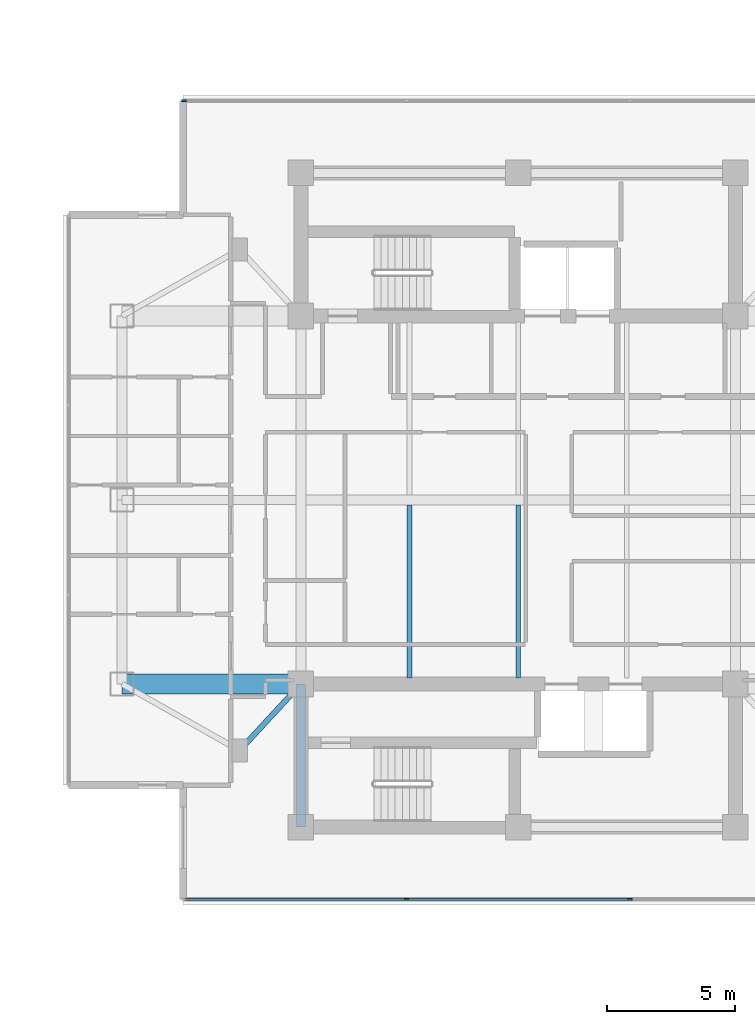
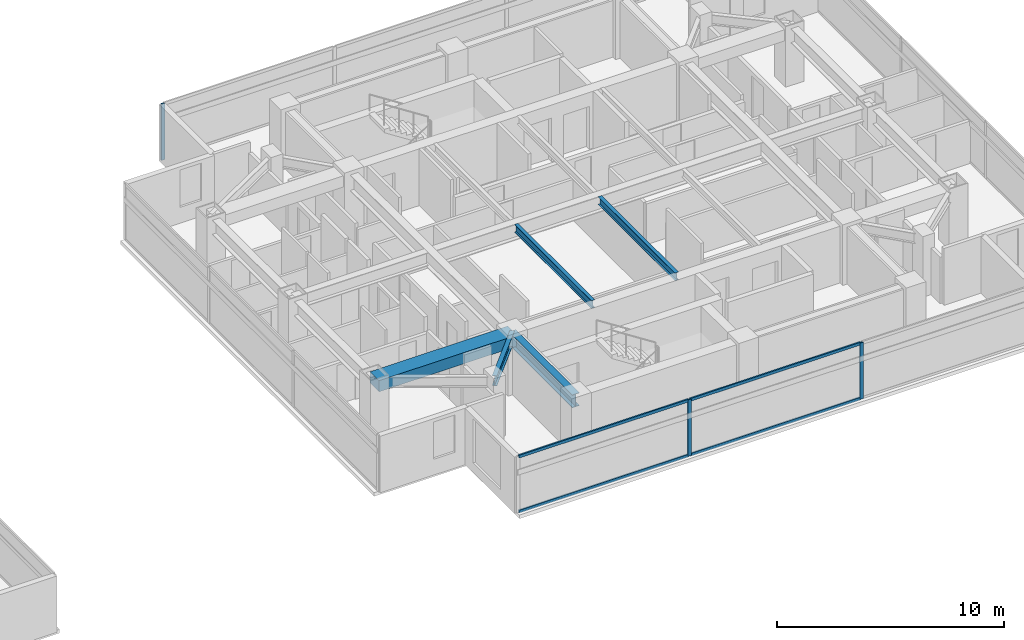
# One storey, part 8 of 24: 7 members, 5 beams, 2 elements without a shape of their own.
"""IFC4 building model written with IfcOpenShell, lengths in metres."""

import ifcopenshell
import ifcopenshell.guid

model = None  # the IFC model being written
_history = None  # IfcOwnerHistory: only IFC2X3 demands one
_inside = {}  # id of a spatial element -> (the spatial element, [elements in it])
_under = {}  # id of a project, library or spatial element -> (it, [spatial elements below it])
_declared = {}  # id of a project -> (the project, [libraries it declares])
_typed = {}  # id of a type object -> (the type object, [elements of that type])
_made_of = {}  # id of a material, layer set ... -> (it, [elements and type objects made of it])


def new_model(schema):
    """Start an empty IFC model of exactly this schema.

    Asked for "IFC4X3", IfcOpenShell would pick the latest addendum, in which some entities
    have other attributes; the version numbers below select the first issue.
    IFC2X3 requires an IfcOwnerHistory on every rooted entity: one is made here for all.
    """
    global model, _history
    if schema == "IFC4X3":
        model = ifcopenshell.file(schema_version=(4, 3, 0, 0))
    else:
        model = ifcopenshell.file(schema=schema)
    _inside.clear()
    _under.clear()
    _declared.clear()
    _typed.clear()
    _made_of.clear()
    _history = None
    if model.schema == "IFC2X3":
        org = make("IfcOrganization", Name="unknown")
        user = make(
            "IfcPersonAndOrganization",
            ThePerson=make("IfcPerson", FamilyName="unknown"),
            TheOrganization=org,
        )
        app = make(
            "IfcApplication",
            ApplicationDeveloper=org,
            Version="unknown",
            ApplicationFullName="unknown",
            ApplicationIdentifier="unknown",
        )
        _history = make(
            "IfcOwnerHistory",
            OwningUser=user,
            OwningApplication=app,
            ChangeAction="ADDED",
            CreationDate=0,
        )
    return model


def make(cls, **values):
    """One entity of the class cls with the attributes given. An attribute that is None is left unset."""
    return model.create_entity(
        cls, **{name: value for name, value in values.items() if value is not None}
    )


def rooted(cls, **values):
    """An entity with a GlobalId (a new one), such as an element, a storey or a relation."""
    return make(cls, GlobalId=ifcopenshell.guid.new(), OwnerHistory=_history, **values)


def si_unit(unit_type, name, prefix=None):
    """IfcSIUnit, for example si_unit("LENGTHUNIT", "METRE", prefix="MILLI")."""
    return make("IfcSIUnit", UnitType=unit_type, Prefix=prefix, Name=name)


def assignment(units):
    """IfcUnitAssignment: the units of a project."""
    return None if units is None else make("IfcUnitAssignment", Units=units)


def point(xyz):
    """IfcCartesianPoint."""
    return None if xyz is None else make("IfcCartesianPoint", Coordinates=xyz)


def direction(xyz):
    """IfcDirection."""
    return None if xyz is None else make("IfcDirection", DirectionRatios=xyz)


def frame(location, z_axis=None, x_axis=None):
    """IfcAxis2Placement3D, a coordinate frame: its origin and axes. An axis left out is left unset."""
    return make(
        "IfcAxis2Placement3D",
        Location=point(location),
        Axis=direction(z_axis),
        RefDirection=direction(x_axis),
    )


def frame_2d(location, x_axis=None):
    """IfcAxis2Placement2D, a coordinate frame in the plane: its origin and x axis."""
    return make(
        "IfcAxis2Placement2D", Location=point(location), RefDirection=direction(x_axis)
    )


def origin():
    """The frame at (0, 0, 0) with its axes left unset."""
    return frame((0.0, 0.0, 0.0))


def origin_2d():
    """The frame at (0, 0) in the plane with its x axis left unset."""
    return frame_2d((0.0, 0.0))


def place(relative_to, where):
    """IfcLocalPlacement: puts the frame where relative to a parent placement (None: the world)."""
    return make(
        "IfcLocalPlacement", PlacementRelTo=relative_to, RelativePlacement=where
    )


def context(
    kind, dimensions, precision=None, world=None, true_north=None, identifier=None
):
    """IfcGeometricRepresentationContext, for example the 3D "Model" context."""
    return make(
        "IfcGeometricRepresentationContext",
        ContextIdentifier=identifier,
        ContextType=kind,
        CoordinateSpaceDimension=dimensions,
        Precision=precision,
        WorldCoordinateSystem=world,
        TrueNorth=true_north,
    )


def subcontext(parent, identifier, kind, view, scale=None):
    """IfcGeometricRepresentationSubContext, for example "Body" below "Model"."""
    return make(
        "IfcGeometricRepresentationSubContext",
        ContextIdentifier=identifier,
        ContextType=kind,
        ParentContext=parent,
        TargetScale=scale,
        TargetView=view,
    )


def project(units=None, contexts=None):
    """IfcProject with its units and contexts."""
    return rooted(
        "IfcProject",
        Name="project",
        RepresentationContexts=contexts,
        UnitsInContext=assignment(units),
    )


def spatial(cls, under=None, at=None, **own):
    """A site, building, storey or space (cls), placed at a placement, below another one or the project."""
    s = rooted(cls, ObjectPlacement=at, **own)
    if under is not None:
        _under.setdefault(under.id(), (under, []))[1].append(s)
    return s


def profile(cls, at=None, kind="AREA", **sizes):
    """A parametric profile (cls). Its sizes go by their IFC names, for example OverallWidth=200.0."""
    return make(cls, ProfileType=kind, Position=at, **sizes)


def rectangle(**sizes):
    """IfcRectangleProfileDef."""
    return profile("IfcRectangleProfileDef", **sizes)


def i_section(**sizes):
    """IfcIShapeProfileDef."""
    return profile("IfcIShapeProfileDef", **sizes)


def extrude(swept, where, along, depth):
    """IfcExtrudedAreaSolid: the profile swept, set in the frame where, extruded along a direction by depth."""
    return make(
        "IfcExtrudedAreaSolid",
        SweptArea=swept,
        Position=where,
        ExtrudedDirection=direction(along),
        Depth=depth,
    )


def shape(context_of_items, identifier, shape_type, items):
    """IfcShapeRepresentation: the items that make up one representation, for example the "Body"."""
    return make(
        "IfcShapeRepresentation",
        ContextOfItems=context_of_items,
        RepresentationIdentifier=identifier,
        RepresentationType=shape_type,
        Items=items,
    )


def material(Name=None, Category=None):
    """IfcMaterial."""
    return make("IfcMaterial", Name=Name, Category=Category)


def material_profile(
    of_material, cross_section, Name=None, Category=None, Priority=None
):
    """IfcMaterialProfile: a cross section and its material."""
    return make(
        "IfcMaterialProfile",
        Name=Name,
        Material=of_material,
        Profile=cross_section,
        Priority=Priority,
        Category=Category,
    )


def profile_set(profiles, Name=None, composite=None):
    """IfcMaterialProfileSet."""
    return make(
        "IfcMaterialProfileSet",
        Name=Name,
        MaterialProfiles=profiles,
        CompositeProfile=composite,
    )


def made_of(thing, what):
    """Note that an element or type object is made of a material, layer set ...; save() writes the relation."""
    if what is not None:
        _made_of.setdefault(what.id(), (what, []))[1].append(thing)
    return thing


def type_object(cls, material=None, **own):
    """A type object (cls), such as IfcWallType, which elements share."""
    return made_of(rooted(cls, **own), material)


def element(
    cls,
    number,
    at=None,
    inside=None,
    cuts=None,
    type_object=None,
    material=None,
    context=None,
    identifier="Body",
    shape_type=None,
    held_by="IfcProductDefinitionShape",
    body=None,
    shapes=None,
    **own,
):
    """One element of the class cls, such as IfcWall. Its Tag is "e" and its number.

    at: its placement. inside: the storey or other place that contains it. cuts: it is an
    opening in that element (IfcRelVoidsElement). A single representation is given by context,
    identifier, shape_type and body (its items); several are given by shapes. held_by: the class
    of the entity that holds the representations. save() writes the other relations.
    """
    e = rooted(cls, Tag="e%d" % number, ObjectPlacement=at, **own)
    if body is not None:
        shapes = [shape(context, identifier, shape_type, body)]
    if shapes is not None:
        e.Representation = make(held_by, Representations=shapes)
    if inside is not None:
        _inside.setdefault(inside.id(), (inside, []))[1].append(e)
    if cuts is not None:
        rooted(
            "IfcRelVoidsElement", RelatingBuildingElement=cuts, RelatedOpeningElement=e
        )
    if type_object is not None:
        _typed.setdefault(type_object.id(), (type_object, []))[1].append(e)
    return made_of(e, material)


def aggregate(whole, parts):
    """IfcRelAggregates: a whole, such as a stair, and the parts it consists of."""
    return rooted("IfcRelAggregates", RelatingObject=whole, RelatedObjects=parts)


def save(model, path):
    """Write the relations noted so far, then the file.

    IfcRelAggregates (storeys below a building ...), IfcRelContainedInSpatialStructure (elements
    in a storey), IfcRelDefinesByType, IfcRelAssociatesMaterial and IfcRelDeclares: one each for
    every whole, place, type object, material and project.
    """
    for whole, parts in _under.values():
        aggregate(whole, parts)
    for where, things in _inside.values():
        rooted(
            "IfcRelContainedInSpatialStructure",
            RelatedElements=things,
            RelatingStructure=where,
        )
    for kind, things in _typed.values():
        rooted("IfcRelDefinesByType", RelatedObjects=things, RelatingType=kind)
    for what, things in _made_of.values():
        rooted("IfcRelAssociatesMaterial", RelatedObjects=things, RelatingMaterial=what)
    for by, libraries in _declared.values():
        rooted("IfcRelDeclares", RelatingContext=by, RelatedDefinitions=libraries)
    model.write(path)


model = new_model("IFC4")

# Units and contexts
model_context = context("Model", 3, precision=1e-05, world=origin(), true_north=direction((0.0, 1.0)))
body_context = subcontext(model_context, "Body", "Model", "MODEL_VIEW")
ifc_project = project(units=[si_unit("LENGTHUNIT", "METRE"), si_unit("AREAUNIT", "SQUARE_METRE"), si_unit("VOLUMEUNIT", "CUBIC_METRE"), si_unit("PLANEANGLEUNIT", "RADIAN"), si_unit("MASSUNIT", "GRAM", prefix="KILO")], contexts=[model_context])

# Site, building, storey
site_placement = place(None, origin())
site = spatial("IfcSite", under=ifc_project, at=site_placement, CompositionType="ELEMENT")
building_placement = place(site_placement, origin())
building = spatial("IfcBuilding", under=site, at=building_placement, Name="Mirazonda Arch Towers", CompositionType="ELEMENT")
storey_placement = place(building_placement, frame((0.0, 0.0, 167.39990234375)))
storey = spatial("IfcBuildingStorey", under=building, at=storey_placement, Name="L47", CompositionType="ELEMENT", Elevation=167.39990234375)

# Beams
ifc_material_1 = material(Name="Steel ASTM A992 Grade 50", Category="steel")
ifc_material_profile_1 = material_profile(ifc_material_1, i_section(OverallWidth=0.180908203125, OverallDepth=0.4169921875, WebThickness=0.010986328125, FlangeThickness=0.018310546875, at=origin_2d()), Name="W16X57")
ifc_profile_set_1 = profile_set([ifc_material_profile_1], Name="Steel ASTM A992 Grade 50")
beam_type_1 = type_object("IfcBeamType", Name="BM-INT-W16X57", PredefinedType="JOIST", material=ifc_profile_set_1)
for number, where, z_axis, x_axis, name in (
    (1, (72.25, 21.0400390625, 2.841552734375), (0.0, 1.0, 0.0), (-1.0, 0.0, 0.0), "L47 Floor Beam BM-T2-L47-J-722-20"),
    (2, (76.5, 21.0400390625, 2.841552734375), (0.0, 1.0, 0.0), (-1.0, 0.0, 0.0), "L47 Floor Beam BM-T2-L47-J-765-20"),
):
    element("IfcBeam", number, at=place(storey_placement, frame(where, z_axis=z_axis, x_axis=x_axis)), inside=storey, type_object=beam_type_1, Name=name, PredefinedType="JOIST", context=body_context, shape_type="SweptSolid", body=[
        extrude(i_section(OverallWidth=0.180908203125, OverallDepth=0.4169921875, WebThickness=0.010986328125, FlangeThickness=0.018310546875, at=origin_2d()), origin(), (0.0, 0.0, 1.0), 6.763916015625),
    ])
ifc_material_profile_2 = material_profile(ifc_material_1, i_section(OverallWidth=0.214111328125, OverallDepth=0.549072265625, WebThickness=0.0146484375, FlangeThickness=0.023681640625, at=origin_2d()), Name="W21X93")
ifc_profile_set_2 = profile_set([ifc_material_profile_2], Name="Steel ASTM A992 Grade 50")
beam_type_2 = type_object("IfcBeamType", Name="BM-INT-W21X93", PredefinedType="BEAM", material=ifc_profile_set_2)
beam_1_placement = place(storey_placement, frame((65.60009765625, 18.199951171875, 2.775634765625), z_axis=(0.678251444854, 0.734829897019, 0.0), x_axis=(-0.734829897019, 0.678251444854, 0.0)))
element("IfcBeam", 3, at=beam_1_placement, inside=storey, type_object=beam_type_2, Name="L47 Floor Beam BM-T2-L47-PL-SW1", PredefinedType="BEAM", context=body_context, shape_type="SweptSolid", body=[
    extrude(i_section(OverallWidth=0.214111328125, OverallDepth=0.549072265625, WebThickness=0.0146484375, FlangeThickness=0.023681640625, at=origin_2d()), origin(), (0.0, 0.0, 1.0), 3.538330078125),
])
ifc_material_profile_3 = material_profile(ifc_material_1, i_section(OverallWidth=0.35498046875, OverallDepth=0.696044921875, WebThickness=0.015380859375, FlangeThickness=0.02490234375, at=origin_2d()), Name="W27X146")
ifc_profile_set_3 = profile_set([ifc_material_profile_3], Name="Steel ASTM A992 Grade 50")
beam_type_3 = type_object("IfcBeamType", Name="BM-INT-W27X146", PredefinedType="BEAM", material=ifc_profile_set_3)
beam_2_placement = place(storey_placement, frame((68.0, 15.199951171875, 2.7021484375), z_axis=(0.0, 1.0, 0.0), x_axis=(-1.0, 0.0, 0.0)))
element("IfcBeam", 4, at=beam_2_placement, inside=storey, type_object=beam_type_3, Name="L47 Floor Beam BM-T2-L47-CSW", PredefinedType="BEAM", context=body_context, shape_type="SweptSolid", body=[
    extrude(i_section(OverallWidth=0.35498046875, OverallDepth=0.696044921875, WebThickness=0.015380859375, FlangeThickness=0.02490234375, at=origin_2d()), origin(), (0.0, 0.0, 1.0), 5.60009765625),
])
ifc_material_2 = material(Name="Concrete C60/75", Category="concrete")
ifc_material_profile_4 = material_profile(ifc_material_2, rectangle(XDim=0.800048828125, YDim=0.60009765625, at=origin_2d()), Name="RCCB800x600")
ifc_profile_set_4 = profile_set([ifc_material_profile_4], Name="Concrete C60/75")
beam_type_4 = type_object("IfcBeamType", Name="CB-INT-RCCB800x600", PredefinedType="SPANDREL", material=ifc_profile_set_4)
beam_3_placement = place(storey_placement, frame((61.0, 20.800048828125, 2.75), z_axis=(1.0, 0.0, 0.0), x_axis=(0.0, 1.0, 0.0)))
element("IfcBeam", 5, at=beam_3_placement, inside=storey, type_object=beam_type_4, Name="L47 Floor Beam CBC-T2-L47-SW", PredefinedType="SPANDREL", context=body_context, shape_type="SweptSolid", body=[
    extrude(rectangle(XDim=0.800048828125, YDim=0.60009765625, at=origin_2d()), origin(), (0.0, 0.0, 1.0), 7.0),
])

# Curtain wall, members
ifc_material_3 = material(Name="Anodised Aluminium and Low-E Glass", Category="aluminium")
curtain_wall_type = type_object("IfcCurtainWallType", Name="CW-RES-UNIT", PredefinedType="NOTDEFINED", material=ifc_material_3)
curtain_wall_1_placement = place(storey_placement, origin())
curtain_wall_1 = element("IfcCurtainWall", 6, at=curtain_wall_1_placement, inside=storey, type_object=curtain_wall_type, Name="L47 T2 S Facade CW-L47-T2-S", PredefinedType="NOTDEFINED")
ifc_material_4 = material(Name="Anodised Aluminium Alloy", Category="aluminium")
ifc_material_profile_5 = material_profile(ifc_material_4, rectangle(XDim=0.074951171875, YDim=0.175048828125, at=origin_2d()), Name="ALU-MULL-75x175")
ifc_profile_set_5 = profile_set([ifc_material_profile_5], Name="Anodised Aluminium Alloy")
member_type_1 = type_object("IfcMemberType", Name="MULL-CW-RES-UNIT", PredefinedType="MULLION", material=ifc_profile_set_5)
member_1_placement = place(storey_placement, frame((80.873046875, 12.375244140625, 0.0), z_axis=(0.0, 0.0, 1.0), x_axis=(0.0, -1.0, 0.0)))
member_1 = element("IfcMember", 7, at=member_1_placement, type_object=member_type_1, Name="CW-104 mullion 2", PredefinedType="MULLION", context=body_context, shape_type="SweptSolid", body=[
    extrude(rectangle(XDim=0.074951171875, YDim=0.175048828125, at=origin_2d()), origin(), (0.0, 0.0, 1.0), 3.030029296875),
])
member_2_placement = place(storey_placement, frame((72.126953125, 12.375244140625, 0.0), z_axis=(0.0, 0.0, 1.0), x_axis=(0.0, -1.0, 0.0)))
member_2 = element("IfcMember", 8, at=member_2_placement, type_object=member_type_1, Name="CW-104 mullion 3", PredefinedType="MULLION", context=body_context, shape_type="SweptSolid", body=[
    extrude(rectangle(XDim=0.074951171875, YDim=0.175048828125, at=origin_2d()), origin(), (0.0, 0.0, 1.0), 3.030029296875),
])

# Curtain wall, member
curtain_wall_2_placement = place(storey_placement, origin())
curtain_wall_2 = element("IfcCurtainWall", 9, at=curtain_wall_2_placement, inside=storey, type_object=curtain_wall_type, Name="L47 T2 N Facade CW-L47-T2-N", PredefinedType="NOTDEFINED")
member_3_placement = place(storey_placement, frame((63.418212890625, 43.624755859375, 0.0), z_axis=(0.0, 0.0, 1.0), x_axis=(0.0, 1.0, 0.0)))
member_3 = element("IfcMember", 10, at=member_3_placement, type_object=member_type_1, Name="CW-104 mullion 1", PredefinedType="MULLION", context=body_context, shape_type="SweptSolid", body=[
    extrude(rectangle(XDim=0.074951171875, YDim=0.175048828125, at=origin_2d()), origin(), (0.0, 0.0, 1.0), 3.030029296875),
])
aggregate(curtain_wall_2, [member_3])

# Member
ifc_material_profile_6 = material_profile(ifc_material_4, rectangle(XDim=0.074951171875, YDim=0.155029296875, at=origin_2d()), Name="ALU-TRAN-75x155")
ifc_profile_set_6 = profile_set([ifc_material_profile_6], Name="Anodised Aluminium Alloy")
member_type_2 = type_object("IfcMemberType", Name="TRAN-CW-RES-UNIT", PredefinedType="USERDEFINED", material=ifc_profile_set_6)
member_4_placement = place(storey_placement, frame((80.835693359375, 12.375244140625, 0.03759765625), z_axis=(-1.0, 0.0, 0.0), x_axis=(0.0, -1.0, 0.0)))
member_4 = element("IfcMember", 11, at=member_4_placement, type_object=member_type_2, Name="CW-104 transom 2.1", ObjectType="TRANSOM", PredefinedType="USERDEFINED", context=body_context, shape_type="SweptSolid", body=[
    extrude(rectangle(XDim=0.074951171875, YDim=0.155029296875, at=origin_2d()), origin(), (0.0, 0.0, 1.0), 8.67138671875),
])

member_5_placement = place(storey_placement, frame((80.835693359375, 12.375244140625, 2.99267578125), z_axis=(-1.0, 0.0, 0.0), x_axis=(0.0, -1.0, 0.0)))
member_5 = element("IfcMember", 12, at=member_5_placement, type_object=member_type_2, Name="CW-104 transom 2.2", ObjectType="TRANSOM", PredefinedType="USERDEFINED", context=body_context, shape_type="SweptSolid", body=[
    extrude(rectangle(XDim=0.074951171875, YDim=0.155029296875, at=origin_2d()), origin(), (0.0, 0.0, 1.0), 8.67138671875),
])

member_6_placement = place(storey_placement, frame((72.08935546875, 12.375244140625, 0.03759765625), z_axis=(-1.0, 0.0, 0.0), x_axis=(0.0, -1.0, 0.0)))
member_6 = element("IfcMember", 13, at=member_6_placement, type_object=member_type_2, Name="CW-104 transom 3.1", ObjectType="TRANSOM", PredefinedType="USERDEFINED", context=body_context, shape_type="SweptSolid", body=[
    extrude(rectangle(XDim=0.074951171875, YDim=0.155029296875, at=origin_2d()), origin(), (0.0, 0.0, 1.0), 8.633544921875),
])

member_7_placement = place(storey_placement, frame((72.08935546875, 12.375244140625, 2.99267578125), z_axis=(-1.0, 0.0, 0.0), x_axis=(0.0, -1.0, 0.0)))
member_7 = element("IfcMember", 14, at=member_7_placement, type_object=member_type_2, Name="CW-104 transom 3.2", ObjectType="TRANSOM", PredefinedType="USERDEFINED", context=body_context, shape_type="SweptSolid", body=[
    extrude(rectangle(XDim=0.074951171875, YDim=0.155029296875, at=origin_2d()), origin(), (0.0, 0.0, 1.0), 8.633544921875),
])

aggregate(curtain_wall_1, [member_1, member_2, member_4, member_5, member_6, member_7])

save(model, "model.ifc")
